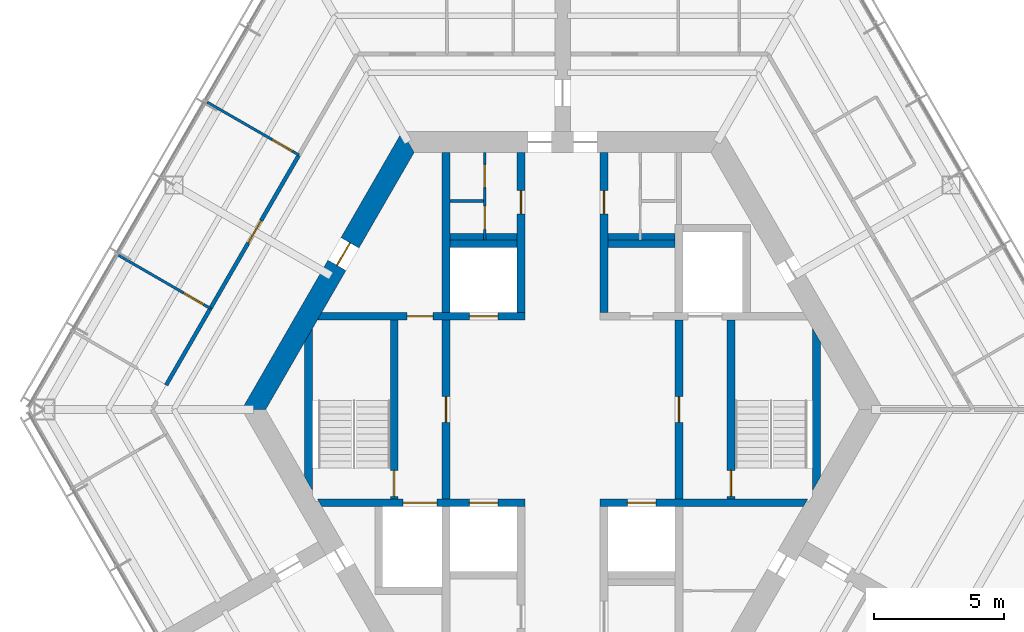
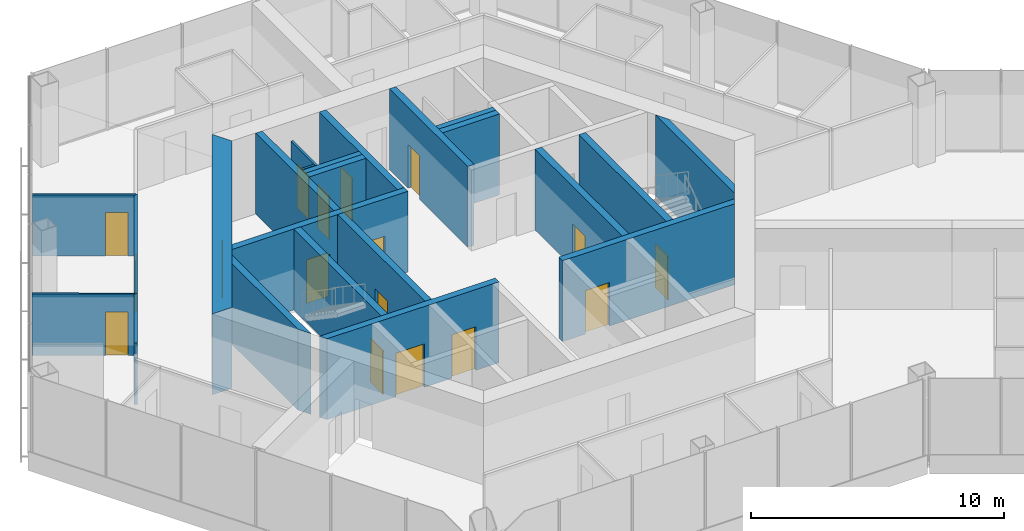
# One storey, part 8 of 13: 23 walls, 17 doors, 17 openings.
"""IFC4 building model written with IfcOpenShell, lengths in metres."""

from ifc_helpers import new_model, si_unit, direction, frame, frame_2d, origin, place, context, subcontext, project, spatial, polyline, rectangle, outline, extrude, material, layer, layer_set, type_object, element, fill, save


model = new_model("IFC4")

# Units and contexts
model_context = context("Model", 3, precision=1e-05, world=origin(), true_north=direction((0.0, 1.0)))
body_context = subcontext(model_context, "Body", "Model", "MODEL_VIEW")
ifc_project = project(units=[si_unit("LENGTHUNIT", "METRE"), si_unit("AREAUNIT", "SQUARE_METRE"), si_unit("VOLUMEUNIT", "CUBIC_METRE"), si_unit("PLANEANGLEUNIT", "RADIAN"), si_unit("MASSUNIT", "GRAM", prefix="KILO")], contexts=[model_context])

# Site, building, storey
site_placement = place(None, origin())
site = spatial("IfcSite", under=ifc_project, at=site_placement, CompositionType="ELEMENT")
building_placement = place(site_placement, origin())
building = spatial("IfcBuilding", under=site, at=building_placement, Name="Kasaneha Research Tower", CompositionType="ELEMENT")
storey_placement = place(building_placement, frame((0.0, 0.0, 275.199951171875)))
storey = spatial("IfcBuildingStorey", under=building, at=storey_placement, Name="L69", CompositionType="ELEMENT", Elevation=275.199951171875)

# Wall, openings, doors
ifc_material_1 = material(Name="Concrete Fc60", Category="concrete")
ifc_layer_1 = layer(ifc_material_1, 0.300048828125)
ifc_layer_set_1 = layer_set([ifc_layer_1], Name="Core internal wall 300 Fc60")
wall_type_1 = type_object("IfcWallType", Name="Core internal wall 300 Fc60", PredefinedType="SHEAR", material=ifc_layer_set_1)
wall_1_placement = place(storey_placement, frame((-9.3818359375, 3.60009765625, 0.0), z_axis=(0.0, 0.0, 1.0), x_axis=(1.0, 0.0, 0.0)))
wall_1 = element("IfcWall", 1, at=wall_1_placement, inside=storey, type_object=wall_type_1, Name="Core wall W1W L69", PredefinedType="SHEAR", context=body_context, shape_type="SweptSolid", body=[
    extrude(outline(polyline([(-0.086669921875, -0.14990234375), (3.3818359375, -0.14990234375), (4.3818359375, -0.14990234375), (5.781982421875, -0.14990234375), (6.882080078125, -0.14990234375), (7.931884765625, -0.14990234375), (7.931884765625, 0.14990234375), (6.882080078125, 0.14990234375), (5.781982421875, 0.14990234375), (4.3818359375, 0.14990234375), (3.3818359375, 0.14990234375), (0.086669921875, 0.14990234375), (-0.086669921875, -0.14990234375)])), origin(), (0.0, 0.0, 1.0), 3.900146484375),
])
opening_1_placement = place(wall_1_placement, frame((3.3818359375, 0.0, 0.0)))
opening_1 = element("IfcOpeningElement", 2, at=opening_1_placement, cuts=wall_1, Name="Opening L69-D12", PredefinedType="OPENING", context=body_context, shape_type="SweptSolid", body=[
    extrude(rectangle(XDim=1.0, YDim=2.10009765625, at=frame_2d((0.5, 1.050048828125))), frame((0.0, 0.16015625, 0.0), z_axis=(0.0, -1.0, 0.0), x_axis=(1.0, 0.0, 0.0)), (0.0, 0.0, 1.0), 0.320068359375),
])
opening_2_placement = place(wall_1_placement, frame((5.781982421875, 0.0, 0.0)))
opening_2 = element("IfcOpeningElement", 3, at=opening_2_placement, cuts=wall_1, Name="Opening LD-LH2-L69", PredefinedType="OPENING", context=body_context, shape_type="SweptSolid", body=[
    extrude(rectangle(XDim=1.10009765625, YDim=2.10009765625, at=frame_2d((0.550048828125, 1.050048828125))), frame((0.0, 0.16015625, 0.0), z_axis=(0.0, -1.0, 0.0), x_axis=(1.0, 0.0, 0.0)), (0.0, 0.0, 1.0), 0.320068359375),
])
ifc_material_2 = material(Name="Steel", Category="steel")
door_type_1 = type_object("IfcDoorType", Name="Lift landing door 1100x2100", OperationType="DOUBLE_DOOR_SLIDING", PredefinedType="DOOR", material=ifc_material_2)
door_1_placement = place(opening_2_placement, origin())
door_1 = element("IfcDoor", 4, at=door_1_placement, inside=storey, type_object=door_type_1, Name="Landing door LH2 LD-LH2-L69", OperationType="DOUBLE_DOOR_SLIDING", OverallHeight=2.10009765625, OverallWidth=1.10009765625, PredefinedType="DOOR", context=body_context, shape_type="SweptSolid", body=[
    extrude(rectangle(XDim=1.10009765625, YDim=2.10009765625, at=frame_2d((0.550048828125, 1.050048828125))), frame((0.0, 0.02490234375, 0.0), z_axis=(0.0, -1.0, 0.0), x_axis=(1.0, 0.0, 0.0)), (0.0, 0.0, 1.0), 0.050048828125),
])
fill(opening_2, door_1)
ifc_material_3 = material(Name="Steel", Category="steel")
door_type_2 = type_object("IfcDoorType", Name="Specified fire door FD60 1000x2100", OperationType="NOTDEFINED", PredefinedType="DOOR", material=ifc_material_3)
door_2_placement = place(opening_1_placement, origin())
door_2 = element("IfcDoor", 5, at=door_2_placement, inside=storey, type_object=door_type_2, Name="Vestibule to lobby door L69-D12", OperationType="SINGLE_SWING_LEFT", OverallHeight=2.10009765625, OverallWidth=1.0, PredefinedType="DOOR", context=body_context, shape_type="SweptSolid", body=[
    extrude(rectangle(XDim=1.0, YDim=2.10009765625, at=frame_2d((0.5, 1.050048828125))), frame((0.0, 0.02490234375, 0.0), z_axis=(0.0, -1.0, 0.0), x_axis=(1.0, 0.0, 0.0)), (0.0, 0.0, 1.0), 0.050048828125),
])
fill(opening_1, door_2)

wall_2_placement = place(storey_placement, frame((-9.3818359375, -3.60009765625, 0.0), z_axis=(0.0, 0.0, 1.0), x_axis=(1.0, 0.0, 0.0)))
wall_2 = element("IfcWall", 6, at=wall_2_placement, inside=storey, type_object=wall_type_1, Name="Core wall W2W L69", PredefinedType="SHEAR", context=body_context, shape_type="SweptSolid", body=[
    extrude(outline(polyline([(0.086669921875, -0.14990234375), (3.23193359375, -0.14990234375), (4.531982421875, -0.14990234375), (5.781982421875, -0.14990234375), (6.882080078125, -0.14990234375), (7.931884765625, -0.14990234375), (7.931884765625, 0.14990234375), (6.882080078125, 0.14990234375), (5.781982421875, 0.14990234375), (4.531982421875, 0.14990234375), (3.23193359375, 0.14990234375), (-0.086669921875, 0.14990234375), (0.086669921875, -0.14990234375)])), origin(), (0.0, 0.0, 1.0), 3.900146484375),
])
opening_3_placement = place(wall_2_placement, frame((5.781982421875, 0.0, 0.0)))
opening_3 = element("IfcOpeningElement", 7, at=opening_3_placement, cuts=wall_2, Name="Opening LD-LH1-L69", PredefinedType="OPENING", context=body_context, shape_type="SweptSolid", body=[
    extrude(rectangle(XDim=1.10009765625, YDim=2.10009765625, at=frame_2d((0.550048828125, 1.050048828125))), frame((0.0, 0.16015625, 0.0), z_axis=(0.0, -1.0, 0.0), x_axis=(1.0, 0.0, 0.0)), (0.0, 0.0, 1.0), 0.320068359375),
])
opening_4_placement = place(wall_2_placement, frame((3.23193359375, 0.0, 0.0)))
opening_4 = element("IfcOpeningElement", 8, at=opening_4_placement, cuts=wall_2, Name="Opening LD-FL2-L69", PredefinedType="OPENING", context=body_context, shape_type="SweptSolid", body=[
    extrude(rectangle(XDim=1.300048828125, YDim=2.10009765625, at=frame_2d((0.64990234375, 1.050048828125))), frame((0.0, 0.16015625, 0.0), z_axis=(0.0, -1.0, 0.0), x_axis=(1.0, 0.0, 0.0)), (0.0, 0.0, 1.0), 0.320068359375),
])
door_3_placement = place(opening_3_placement, origin())
door_3 = element("IfcDoor", 9, at=door_3_placement, inside=storey, type_object=door_type_1, Name="Landing door LH1 LD-LH1-L69", OperationType="DOUBLE_DOOR_SLIDING", OverallHeight=2.10009765625, OverallWidth=1.10009765625, PredefinedType="DOOR", context=body_context, shape_type="SweptSolid", body=[
    extrude(rectangle(XDim=1.10009765625, YDim=2.10009765625, at=frame_2d((0.550048828125, 1.050048828125))), frame((0.0, 0.02490234375, 0.0), z_axis=(0.0, -1.0, 0.0), x_axis=(1.0, 0.0, 0.0)), (0.0, 0.0, 1.0), 0.050048828125),
])
fill(opening_3, door_3)
ifc_material_4 = material(Name="Steel", Category="steel")
door_type_3 = type_object("IfcDoorType", Name="Lift landing door 1300x2100", OperationType="DOUBLE_DOOR_SLIDING", PredefinedType="DOOR", material=ifc_material_4)
door_4_placement = place(opening_4_placement, origin())
door_4 = element("IfcDoor", 10, at=door_4_placement, inside=storey, type_object=door_type_3, Name="Landing door FL2 LD-FL2-L69", OperationType="DOUBLE_DOOR_SLIDING", OverallHeight=2.10009765625, OverallWidth=1.300048828125, PredefinedType="DOOR", context=body_context, shape_type="SweptSolid", body=[
    extrude(rectangle(XDim=1.300048828125, YDim=2.10009765625, at=frame_2d((0.64990234375, 1.050048828125))), frame((0.0, 0.02490234375, 0.0), z_axis=(0.0, -1.0, 0.0), x_axis=(1.0, 0.0, 0.0)), (0.0, 0.0, 1.0), 0.050048828125),
])
fill(opening_4, door_4)

# Wall, opening, door
wall_3_placement = place(storey_placement, frame((1.449951171875, -3.60009765625, 0.0), z_axis=(0.0, 0.0, 1.0), x_axis=(1.0, 0.0, 0.0)))
wall_3 = element("IfcWall", 11, at=wall_3_placement, inside=storey, type_object=wall_type_1, Name="Core wall W2E L69", PredefinedType="SHEAR", context=body_context, shape_type="SweptSolid", body=[
    extrude(outline(polyline([(0.0, -0.14990234375), (1.050048828125, -0.14990234375), (2.150146484375, -0.14990234375), (7.84521484375, -0.14990234375), (8.0185546875, 0.14990234375), (2.150146484375, 0.14990234375), (1.050048828125, 0.14990234375), (0.0, 0.14990234375), (0.0, -0.14990234375)])), origin(), (0.0, 0.0, 1.0), 3.900146484375),
])
opening_5_placement = place(wall_3_placement, frame((1.050048828125, 0.0, 0.0)))
opening_5 = element("IfcOpeningElement", 12, at=opening_5_placement, cuts=wall_3, Name="Opening LD-LH3-L69", PredefinedType="OPENING", context=body_context, shape_type="SweptSolid", body=[
    extrude(rectangle(XDim=1.10009765625, YDim=2.10009765625, at=frame_2d((0.550048828125, 1.050048828125))), frame((0.0, 0.16015625, 0.0), z_axis=(0.0, -1.0, 0.0), x_axis=(1.0, 0.0, 0.0)), (0.0, 0.0, 1.0), 0.320068359375),
])
door_5_placement = place(opening_5_placement, origin())
door_5 = element("IfcDoor", 13, at=door_5_placement, inside=storey, type_object=door_type_1, Name="Landing door LH3 LD-LH3-L69", OperationType="DOUBLE_DOOR_SLIDING", OverallHeight=2.10009765625, OverallWidth=1.10009765625, PredefinedType="DOOR", context=body_context, shape_type="SweptSolid", body=[
    extrude(rectangle(XDim=1.10009765625, YDim=2.10009765625, at=frame_2d((0.550048828125, 1.050048828125))), frame((0.0, 0.02490234375, 0.0), z_axis=(0.0, -1.0, 0.0), x_axis=(1.0, 0.0, 0.0)), (0.0, 0.0, 1.0), 0.050048828125),
])
fill(opening_5, door_5)

wall_4_placement = place(storey_placement, frame((-1.60009765625, 3.75, 0.0), z_axis=(0.0, 0.0, 1.0), x_axis=(0.0, 1.0, 0.0)))
wall_4 = element("IfcWall", 14, at=wall_4_placement, inside=storey, type_object=wall_type_1, Name="Core wall CNW L69", PredefinedType="SHEAR", context=body_context, shape_type="SweptSolid", body=[
    extrude(rectangle(XDim=6.175048828125, YDim=0.300048828125, at=frame_2d((3.08740234375, 0.0))), origin(), (0.0, 0.0, 1.0), 3.900146484375),
])
opening_6_placement = place(wall_4_placement, frame((3.800048828125, 0.0, 0.0)))
opening_6 = element("IfcOpeningElement", 15, at=opening_6_placement, cuts=wall_4, Name="Opening L69-D13", PredefinedType="OPENING", context=body_context, shape_type="SweptSolid", body=[
    extrude(rectangle(XDim=0.89990234375, YDim=2.10009765625, at=frame_2d((0.449951171875, 1.050048828125))), frame((0.0, 0.16015625, 0.0), z_axis=(0.0, -1.0, 0.0), x_axis=(1.0, 0.0, 0.0)), (0.0, 0.0, 1.0), 0.320068359375),
])
ifc_material_5 = material(Name="Steel", Category="steel")
door_type_4 = type_object("IfcDoorType", Name="Toilet door FD20 900x2100", OperationType="NOTDEFINED", PredefinedType="DOOR", material=ifc_material_5)
door_6_placement = place(opening_6_placement, origin())
door_6 = element("IfcDoor", 16, at=door_6_placement, inside=storey, type_object=door_type_4, Name="Men's WC door L69-D13", OperationType="SINGLE_SWING_LEFT", OverallHeight=2.10009765625, OverallWidth=0.89990234375, PredefinedType="DOOR", context=body_context, shape_type="SweptSolid", body=[
    extrude(rectangle(XDim=0.89990234375, YDim=2.10009765625, at=frame_2d((0.449951171875, 1.050048828125))), frame((0.0, 0.02490234375, 0.0), z_axis=(0.0, -1.0, 0.0), x_axis=(1.0, 0.0, 0.0)), (0.0, 0.0, 1.0), 0.050048828125),
])
fill(opening_6, door_6)

wall_5_placement = place(storey_placement, frame((1.60009765625, 3.75, 0.0), z_axis=(0.0, 0.0, 1.0), x_axis=(0.0, 1.0, 0.0)))
wall_5 = element("IfcWall", 17, at=wall_5_placement, inside=storey, type_object=wall_type_1, Name="Core wall CNE L69", PredefinedType="SHEAR", context=body_context, shape_type="SweptSolid", body=[
    extrude(rectangle(XDim=6.175048828125, YDim=0.300048828125, at=frame_2d((3.08740234375, 0.0))), origin(), (0.0, 0.0, 1.0), 3.900146484375),
])
opening_7_placement = place(wall_5_placement, frame((3.800048828125, 0.0, 0.0)))
opening_7 = element("IfcOpeningElement", 18, at=opening_7_placement, cuts=wall_5, Name="Opening L69-D14", PredefinedType="OPENING", context=body_context, shape_type="SweptSolid", body=[
    extrude(rectangle(XDim=0.89990234375, YDim=2.10009765625, at=frame_2d((0.449951171875, 1.050048828125))), frame((0.0, 0.16015625, 0.0), z_axis=(0.0, -1.0, 0.0), x_axis=(1.0, 0.0, 0.0)), (0.0, 0.0, 1.0), 0.320068359375),
])
door_7_placement = place(opening_7_placement, origin())
door_7 = element("IfcDoor", 19, at=door_7_placement, inside=storey, type_object=door_type_4, Name="Women's WC door L69-D14", OperationType="SINGLE_SWING_LEFT", OverallHeight=2.10009765625, OverallWidth=0.89990234375, PredefinedType="DOOR", context=body_context, shape_type="SweptSolid", body=[
    extrude(rectangle(XDim=0.89990234375, YDim=2.10009765625, at=frame_2d((0.449951171875, 1.050048828125))), frame((0.0, 0.02490234375, 0.0), z_axis=(0.0, -1.0, 0.0), x_axis=(1.0, 0.0, 0.0)), (0.0, 0.0, 1.0), 0.050048828125),
])
fill(opening_7, door_7)

wall_6_placement = place(storey_placement, frame((-4.5, -3.449951171875, 0.0), z_axis=(0.0, 0.0, 1.0), x_axis=(0.0, 1.0, 0.0)))
wall_6 = element("IfcWall", 20, at=wall_6_placement, inside=storey, type_object=wall_type_1, Name="Core wall LBW L69", PredefinedType="SHEAR", context=body_context, shape_type="SweptSolid", body=[
    extrude(rectangle(XDim=6.89990234375, YDim=0.300048828125, at=frame_2d((3.449951171875, 0.0))), origin(), (0.0, 0.0, 1.0), 3.900146484375),
])
opening_8_placement = place(wall_6_placement, frame((2.949951171875, 0.0, 0.0)))
opening_8 = element("IfcOpeningElement", 21, at=opening_8_placement, cuts=wall_6, Name="Opening L69-D09", PredefinedType="OPENING", context=body_context, shape_type="SweptSolid", body=[
    extrude(rectangle(XDim=1.0, YDim=2.10009765625, at=frame_2d((0.5, 1.050048828125))), frame((0.0, 0.16015625, 0.0), z_axis=(0.0, -1.0, 0.0), x_axis=(1.0, 0.0, 0.0)), (0.0, 0.0, 1.0), 0.320068359375),
])
door_8_placement = place(opening_8_placement, origin())
door_8 = element("IfcDoor", 22, at=door_8_placement, inside=storey, type_object=door_type_2, Name="Lift lobby door west L69-D09", OperationType="SINGLE_SWING_LEFT", OverallHeight=2.10009765625, OverallWidth=1.0, PredefinedType="DOOR", context=body_context, shape_type="SweptSolid", body=[
    extrude(rectangle(XDim=1.0, YDim=2.10009765625, at=frame_2d((0.5, 1.050048828125))), frame((0.0, 0.02490234375, 0.0), z_axis=(0.0, -1.0, 0.0), x_axis=(1.0, 0.0, 0.0)), (0.0, 0.0, 1.0), 0.050048828125),
])
fill(opening_8, door_8)

wall_7_placement = place(storey_placement, frame((4.5, -3.449951171875, 0.0), z_axis=(0.0, 0.0, 1.0), x_axis=(0.0, 1.0, 0.0)))
wall_7 = element("IfcWall", 23, at=wall_7_placement, inside=storey, type_object=wall_type_1, Name="Core wall LBE L69", PredefinedType="SHEAR", context=body_context, shape_type="SweptSolid", body=[
    extrude(rectangle(XDim=6.89990234375, YDim=0.300048828125, at=frame_2d((3.449951171875, 0.0))), origin(), (0.0, 0.0, 1.0), 3.900146484375),
])
opening_9_placement = place(wall_7_placement, frame((2.949951171875, 0.0, 0.0)))
opening_9 = element("IfcOpeningElement", 24, at=opening_9_placement, cuts=wall_7, Name="Opening L69-D08", PredefinedType="OPENING", context=body_context, shape_type="SweptSolid", body=[
    extrude(rectangle(XDim=1.0, YDim=2.10009765625, at=frame_2d((0.5, 1.050048828125))), frame((0.0, 0.16015625, 0.0), z_axis=(0.0, -1.0, 0.0), x_axis=(1.0, 0.0, 0.0)), (0.0, 0.0, 1.0), 0.320068359375),
])
door_9_placement = place(opening_9_placement, origin())
door_9 = element("IfcDoor", 25, at=door_9_placement, inside=storey, type_object=door_type_2, Name="Lift lobby door east L69-D08", OperationType="SINGLE_SWING_LEFT", OverallHeight=2.10009765625, OverallWidth=1.0, PredefinedType="DOOR", context=body_context, shape_type="SweptSolid", body=[
    extrude(rectangle(XDim=1.0, YDim=2.10009765625, at=frame_2d((0.5, 1.050048828125))), frame((0.0, 0.02490234375, 0.0), z_axis=(0.0, -1.0, 0.0), x_axis=(1.0, 0.0, 0.0)), (0.0, 0.0, 1.0), 0.050048828125),
])
fill(opening_9, door_9)

wall_8_placement = place(storey_placement, frame((-6.5, -3.449951171875, 0.0), z_axis=(0.0, 0.0, 1.0), x_axis=(0.0, 1.0, 0.0)))
wall_8 = element("IfcWall", 26, at=wall_8_placement, inside=storey, type_object=wall_type_1, Name="Core wall ANW L69", PredefinedType="SHEAR", context=body_context, shape_type="SweptSolid", body=[
    extrude(rectangle(XDim=6.89990234375, YDim=0.300048828125, at=frame_2d((3.449951171875, 0.0))), origin(), (0.0, 0.0, 1.0), 3.900146484375),
])
opening_10_placement = place(wall_8_placement, frame((0.10009765625, 0.0, 0.0)))
opening_10 = element("IfcOpeningElement", 27, at=opening_10_placement, cuts=wall_8, Name="Opening L69-D11", PredefinedType="OPENING", context=body_context, shape_type="SweptSolid", body=[
    extrude(rectangle(XDim=1.0, YDim=2.10009765625, at=frame_2d((0.5, 1.050048828125))), frame((0.0, 0.16015625, 0.0), z_axis=(0.0, -1.0, 0.0), x_axis=(1.0, 0.0, 0.0)), (0.0, 0.0, 1.0), 0.320068359375),
])
door_10_placement = place(opening_10_placement, origin())
door_10 = element("IfcDoor", 28, at=door_10_placement, inside=storey, type_object=door_type_2, Name="Stair 2 door L69-D11", OperationType="SINGLE_SWING_LEFT", OverallHeight=2.10009765625, OverallWidth=1.0, PredefinedType="DOOR", context=body_context, shape_type="SweptSolid", body=[
    extrude(rectangle(XDim=1.0, YDim=2.10009765625, at=frame_2d((0.5, 1.050048828125))), frame((0.0, 0.02490234375, 0.0), z_axis=(0.0, -1.0, 0.0), x_axis=(1.0, 0.0, 0.0)), (0.0, 0.0, 1.0), 0.050048828125),
])
fill(opening_10, door_10)

wall_9_placement = place(storey_placement, frame((6.5, -3.449951171875, 0.0), z_axis=(0.0, 0.0, 1.0), x_axis=(0.0, 1.0, 0.0)))
wall_9 = element("IfcWall", 29, at=wall_9_placement, inside=storey, type_object=wall_type_1, Name="Core wall ANE L69", PredefinedType="SHEAR", context=body_context, shape_type="SweptSolid", body=[
    extrude(rectangle(XDim=6.89990234375, YDim=0.300048828125, at=frame_2d((3.449951171875, 0.0))), origin(), (0.0, 0.0, 1.0), 3.900146484375),
])
opening_11_placement = place(wall_9_placement, frame((0.10009765625, 0.0, 0.0)))
opening_11 = element("IfcOpeningElement", 30, at=opening_11_placement, cuts=wall_9, Name="Opening L69-D10", PredefinedType="OPENING", context=body_context, shape_type="SweptSolid", body=[
    extrude(rectangle(XDim=1.0, YDim=2.10009765625, at=frame_2d((0.5, 1.050048828125))), frame((0.0, 0.16015625, 0.0), z_axis=(0.0, -1.0, 0.0), x_axis=(1.0, 0.0, 0.0)), (0.0, 0.0, 1.0), 0.320068359375),
])
door_11_placement = place(opening_11_placement, origin())
door_11 = element("IfcDoor", 31, at=door_11_placement, inside=storey, type_object=door_type_2, Name="Stair 1 door L69-D10", OperationType="SINGLE_SWING_LEFT", OverallHeight=2.10009765625, OverallWidth=1.0, PredefinedType="DOOR", context=body_context, shape_type="SweptSolid", body=[
    extrude(rectangle(XDim=1.0, YDim=2.10009765625, at=frame_2d((0.5, 1.050048828125))), frame((0.0, 0.02490234375, 0.0), z_axis=(0.0, -1.0, 0.0), x_axis=(1.0, 0.0, 0.0)), (0.0, 0.0, 1.0), 0.050048828125),
])
fill(opening_11, door_11)

# Walls
wall_10_placement = place(storey_placement, frame((-4.5, 3.75, 0.0), z_axis=(0.0, 0.0, 1.0), x_axis=(0.0, 1.0, 0.0)))
element("IfcWall", 32, at=wall_10_placement, inside=storey, type_object=wall_type_1, Name="Core wall VNW L69", PredefinedType="SHEAR", context=body_context, shape_type="SweptSolid", body=[
    extrude(rectangle(XDim=6.175048828125, YDim=0.300048828125, at=frame_2d((3.08740234375, 0.0))), origin(), (0.0, 0.0, 1.0), 3.900146484375),
])
for number, where, z_axis, x_axis, name in (
    (33, (-4.35009765625, 6.39990234375, 0.0), (0.0, 0.0, 1.0), (1.0, 0.0, 0.0), "Core wall N1N L69"),
    (34, (1.75, 6.39990234375, 0.0), (0.0, 0.0, 1.0), (1.0, 0.0, 0.0), "Core wall N3N L69"),
):
    element("IfcWall", number, at=place(storey_placement, frame(where, z_axis=z_axis, x_axis=x_axis)), inside=storey, type_object=wall_type_1, Name=name, PredefinedType="SHEAR", context=body_context, shape_type="SweptSolid", body=[
        extrude(rectangle(XDim=2.60009765625, YDim=0.300048828125, at=frame_2d((1.300048828125, 0.0))), origin(), (0.0, 0.0, 1.0), 3.900146484375),
    ])
wall_11_placement = place(storey_placement, frame((9.807861328125, -2.8623046875, 0.0), z_axis=(0.0, 0.0, 1.0), x_axis=(0.0, 1.0, 0.0)))
element("IfcWall", 35, at=wall_11_placement, inside=storey, type_object=wall_type_1, Name="Core wall STE L69", PredefinedType="SHEAR", context=body_context, shape_type="SweptSolid", body=[
    extrude(outline(polyline([(0.259765625, -0.14990234375), (5.46484375, -0.14990234375), (5.984375, 0.14990234375), (-0.259765625, 0.14990234375), (0.259765625, -0.14990234375)])), origin(), (0.0, 0.0, 1.0), 3.900146484375),
])
wall_12_placement = place(storey_placement, frame((-9.807861328125, -2.8623046875, 0.0), z_axis=(0.0, 0.0, 1.0), x_axis=(0.0, 1.0, 0.0)))
element("IfcWall", 36, at=wall_12_placement, inside=storey, type_object=wall_type_1, Name="Core wall STW L69", PredefinedType="SHEAR", context=body_context, shape_type="SweptSolid", body=[
    extrude(outline(polyline([(-0.259765625, -0.14990234375), (5.984375, -0.14990234375), (5.46484375, 0.14990234375), (0.259765625, 0.14990234375), (-0.259765625, -0.14990234375)])), origin(), (0.0, 0.0, 1.0), 3.900146484375),
])

# Wall, opening, door
ifc_material_6 = material(Name="Concrete Fc60", Category="concrete")
ifc_layer_2 = layer(ifc_material_6, 0.800048828125)
ifc_layer_set_2 = layer_set([ifc_layer_2], Name="Core wall 800 Fc60")
wall_type_2 = type_object("IfcWallType", Name="Core wall 800 Fc60", PredefinedType="SHEAR", material=ifc_layer_set_2)
wall_13_placement = place(storey_placement, frame((-5.961181640625, 10.324951171875, 0.0), z_axis=(0.0, 0.0, 1.0), x_axis=(-0.500004296715, -0.866022923061, 0.0)))
wall_13 = element("IfcWall", 37, at=wall_13_placement, inside=storey, type_object=wall_type_2, Name="Core wall 150 L69", PredefinedType="SHEAR", context=body_context, shape_type="SweptSolid", body=[
    extrude(outline(polyline([(-0.23095703125, -0.39990234375), (4.494140625, -0.39990234375), (5.494140625, -0.39990234375), (12.1533203125, -0.39990234375), (11.69140625, 0.39990234375), (5.494140625, 0.39990234375), (4.494140625, 0.39990234375), (0.23095703125, 0.39990234375), (-0.23095703125, -0.39990234375)])), origin(), (0.0, 0.0, 1.0), 3.900146484375),
])
opening_12_placement = place(wall_13_placement, frame((4.494140625, 0.0, 0.0)))
opening_12 = element("IfcOpeningElement", 38, at=opening_12_placement, cuts=wall_13, Name="Opening L69-D07", PredefinedType="OPENING", context=body_context, shape_type="SweptSolid", body=[
    extrude(rectangle(XDim=1.0, YDim=2.10009765625, at=frame_2d((0.5, 1.050048828125))), frame((0.0, 0.41015625, 0.0), z_axis=(0.0, -1.0, 0.0), x_axis=(1.0, 0.0, 0.0)), (0.0, 0.0, 1.0), 0.820068359375),
])
ifc_material_7 = material(Name="Steel", Category="steel")
door_type_5 = type_object("IfcDoorType", Name="Fire door FD20 1000x2100", OperationType="NOTDEFINED", PredefinedType="DOOR", material=ifc_material_7)
door_12_placement = place(opening_12_placement, origin())
door_12 = element("IfcDoor", 39, at=door_12_placement, inside=storey, type_object=door_type_5, Name="Vestibule door L69-D07", OperationType="SINGLE_SWING_LEFT", OverallHeight=2.10009765625, OverallWidth=1.0, PredefinedType="DOOR", context=body_context, shape_type="SweptSolid", body=[
    extrude(rectangle(XDim=1.0, YDim=2.10009765625, at=frame_2d((0.5, 1.050048828125))), frame((0.0, 0.02490234375, 0.0), z_axis=(0.0, -1.0, 0.0), x_axis=(1.0, 0.0, 0.0)), (0.0, 0.0, 1.0), 0.050048828125),
])
fill(opening_12, door_12)

# Wall, openings, doors
ifc_material_8 = material(Name="Gypsum board on steel studs, one layer each side", Category="steel")
ifc_layer_3 = layer(ifc_material_8, 0.10009765625)
ifc_layer_set_3 = layer_set([ifc_layer_3], Name="Office partition 100")
wall_type_3 = type_object("IfcWallType", Name="Office partition 100", PredefinedType="PARTITIONING", material=ifc_layer_set_3)
wall_14_placement = place(storey_placement, frame((-3.0, 6.550048828125, 0.0), z_axis=(0.0, 0.0, 1.0), x_axis=(0.0, 1.0, 0.0)))
wall_14 = element("IfcWall", 40, at=wall_14_placement, inside=storey, type_object=wall_type_3, Name="Office partition TBM1 L69", PredefinedType="PARTITIONING", context=body_context, shape_type="SweptSolid", body=[
    extrude(rectangle(XDim=3.375, YDim=0.10009765625, at=frame_2d((1.6875, 0.0))), origin(), (0.0, 0.0, 1.0), 2.949951171875),
])
opening_13_placement = place(wall_14_placement, frame((2.012451171875, 0.0, 0.0)))
opening_13 = element("IfcOpeningElement", 41, at=opening_13_placement, cuts=wall_14, Name="Opening L69-D21", PredefinedType="OPENING", context=body_context, shape_type="SweptSolid", body=[
    extrude(rectangle(XDim=0.89990234375, YDim=2.10009765625, at=frame_2d((0.449951171875, 1.050048828125))), frame((0.0, 0.06005859375, 0.0), z_axis=(0.0, -1.0, 0.0), x_axis=(1.0, 0.0, 0.0)), (0.0, 0.0, 1.0), 0.1201171875),
])
opening_14_placement = place(wall_14_placement, frame((0.39990234375, 0.0, 0.0)))
opening_14 = element("IfcOpeningElement", 42, at=opening_14_placement, cuts=wall_14, Name="Opening L69-D22", PredefinedType="OPENING", context=body_context, shape_type="SweptSolid", body=[
    extrude(rectangle(XDim=0.89990234375, YDim=2.10009765625, at=frame_2d((0.449951171875, 1.050048828125))), frame((0.0, 0.06005859375, 0.0), z_axis=(0.0, -1.0, 0.0), x_axis=(1.0, 0.0, 0.0)), (0.0, 0.0, 1.0), 0.1201171875),
])
ifc_material_9 = material(Name="Steel", Category="steel")
door_type_6 = type_object("IfcDoorType", Name="Toilet lobby door FD30 900x2100", OperationType="NOTDEFINED", PredefinedType="DOOR", material=ifc_material_9)
door_13_placement = place(opening_13_placement, origin())
door_13 = element("IfcDoor", 43, at=door_13_placement, inside=storey, type_object=door_type_6, Name="Men's WC door L69-D21", OperationType="SINGLE_SWING_RIGHT", OverallHeight=2.10009765625, OverallWidth=0.89990234375, PredefinedType="DOOR", context=body_context, shape_type="SweptSolid", body=[
    extrude(rectangle(XDim=0.89990234375, YDim=2.10009765625, at=frame_2d((0.449951171875, 1.050048828125))), frame((0.0, 0.02490234375, 0.0), z_axis=(0.0, -1.0, 0.0), x_axis=(1.0, 0.0, 0.0)), (0.0, 0.0, 1.0), 0.050048828125),
])
fill(opening_13, door_13)
door_14_placement = place(opening_14_placement, origin())
door_14 = element("IfcDoor", 44, at=door_14_placement, inside=storey, type_object=door_type_6, Name="Cleaner's store door L69-D22", OperationType="SINGLE_SWING_RIGHT", OverallHeight=2.10009765625, OverallWidth=0.89990234375, PredefinedType="DOOR", context=body_context, shape_type="SweptSolid", body=[
    extrude(rectangle(XDim=0.89990234375, YDim=2.10009765625, at=frame_2d((0.449951171875, 1.050048828125))), frame((0.0, 0.02490234375, 0.0), z_axis=(0.0, -1.0, 0.0), x_axis=(1.0, 0.0, 0.0)), (0.0, 0.0, 1.0), 0.050048828125),
])
fill(opening_14, door_14)

# Wall
wall_15_placement = place(storey_placement, frame((-3.050048828125, 8.050048828125, 0.0), z_axis=(0.0, 0.0, 1.0), x_axis=(-1.0, 0.0, 0.0)))
element("IfcWall", 45, at=wall_15_placement, inside=storey, type_object=wall_type_3, Name="Office partition TBM2 L69", PredefinedType="PARTITIONING", context=body_context, shape_type="SweptSolid", body=[
    extrude(rectangle(XDim=1.300048828125, YDim=0.10009765625, at=frame_2d((0.64990234375, 0.0))), origin(), (0.0, 0.0, 1.0), 2.949951171875),
])

# Wall, opening, door
wall_16_placement = place(storey_placement, frame((-17.15380859375, 5.9599609375, 0.0), z_axis=(0.0, 0.0, 1.0), x_axis=(0.8654628796, -0.500973057194, 0.0)))
wall_16 = element("IfcWall", 46, at=wall_16_placement, inside=storey, type_object=wall_type_3, Name="Office partition FBN08 L69", PredefinedType="PARTITIONING", context=body_context, shape_type="SweptSolid", body=[
    extrude(rectangle(XDim=4.110595703125, YDim=0.10009765625, at=frame_2d((2.05517578125, 0.0))), origin(), (0.0, 0.0, 1.0), 2.949951171875),
])
opening_15_placement = place(wall_16_placement, frame((2.910400390625, 0.0, 0.0)))
opening_15 = element("IfcOpeningElement", 47, at=opening_15_placement, cuts=wall_16, Name="Opening L69-D36", PredefinedType="OPENING", context=body_context, shape_type="SweptSolid", body=[
    extrude(rectangle(XDim=0.89990234375, YDim=2.10009765625, at=frame_2d((0.449951171875, 1.050048828125))), frame((0.0, 0.06005859375, 0.0), z_axis=(0.0, -1.0, 0.0), x_axis=(1.0, 0.0, 0.0)), (0.0, 0.0, 1.0), 0.1201171875),
])
ifc_material_10 = material(Name="Timber veneer", Category="wood")
door_type_7 = type_object("IfcDoorType", Name="Office door 900x2100", OperationType="SINGLE_SWING_LEFT", PredefinedType="DOOR", material=ifc_material_10)
door_15_placement = place(opening_15_placement, origin())
door_15 = element("IfcDoor", 48, at=door_15_placement, inside=storey, type_object=door_type_7, Name="Manager's office door L69-D36", OperationType="SINGLE_SWING_RIGHT", OverallHeight=2.10009765625, OverallWidth=0.89990234375, PredefinedType="DOOR", context=body_context, shape_type="SweptSolid", body=[
    extrude(rectangle(XDim=0.89990234375, YDim=2.10009765625, at=frame_2d((0.449951171875, 1.050048828125))), frame((0.0, 0.02490234375, 0.0), z_axis=(0.0, -1.0, 0.0), x_axis=(1.0, 0.0, 0.0)), (0.0, 0.0, 1.0), 0.050048828125),
])
fill(opening_15, door_15)

wall_17_placement = place(storey_placement, frame((-10.17626953125, 9.82421875, 0.0), z_axis=(0.0, 0.0, 1.0), x_axis=(-0.866587219047, 0.499025642412, 0.0)))
wall_17 = element("IfcWall", 49, at=wall_17_placement, inside=storey, type_object=wall_type_3, Name="Office partition FBN09 L69", PredefinedType="PARTITIONING", context=body_context, shape_type="SweptSolid", body=[
    extrude(rectangle(XDim=4.085693359375, YDim=0.10009765625, at=frame_2d((2.04296875, 0.0))), origin(), (0.0, 0.0, 1.0), 2.949951171875),
])
opening_16_placement = place(wall_17_placement, frame((0.300048828125, 0.0, 0.0)))
opening_16 = element("IfcOpeningElement", 50, at=opening_16_placement, cuts=wall_17, Name="Opening L69-D37", PredefinedType="OPENING", context=body_context, shape_type="SweptSolid", body=[
    extrude(rectangle(XDim=0.89990234375, YDim=2.10009765625, at=frame_2d((0.449951171875, 1.050048828125))), frame((0.0, 0.06005859375, 0.0), z_axis=(0.0, -1.0, 0.0), x_axis=(1.0, 0.0, 0.0)), (0.0, 0.0, 1.0), 0.1201171875),
])
door_16_placement = place(opening_16_placement, origin())
door_16 = element("IfcDoor", 51, at=door_16_placement, inside=storey, type_object=door_type_7, Name="Project room door L69-D37", OperationType="SINGLE_SWING_LEFT", OverallHeight=2.10009765625, OverallWidth=0.89990234375, PredefinedType="DOOR", context=body_context, shape_type="SweptSolid", body=[
    extrude(rectangle(XDim=0.89990234375, YDim=2.10009765625, at=frame_2d((0.449951171875, 1.050048828125))), frame((0.0, 0.02490234375, 0.0), z_axis=(0.0, -1.0, 0.0), x_axis=(1.0, 0.0, 0.0)), (0.0, 0.0, 1.0), 0.050048828125),
])
fill(opening_16, door_16)

# Wall
ifc_material_11 = material(Name="Gypsum board on steel studs, two layers each side", Category="steel")
ifc_layer_4 = layer(ifc_material_11, 0.14990234375)
ifc_layer_set_4 = layer_set([ifc_layer_4], Name="Suite partition 150")
wall_type_4 = type_object("IfcWallType", Name="Suite partition 150", PredefinedType="PARTITIONING", material=ifc_layer_set_4)
wall_18_placement = place(storey_placement, frame((-15.30419921875, 0.9423828125, 0.0), z_axis=(0.0, 0.0, 1.0), x_axis=(0.500032973541, 0.866006365664, 0.0)))
element("IfcWall", 52, at=wall_18_placement, inside=storey, type_object=wall_type_4, Name="Suite partition FBN01 L69", PredefinedType="PARTITIONING", context=body_context, shape_type="SweptSolid", body=[
    extrude(rectangle(XDim=3.425537109375, YDim=0.14990234375, at=frame_2d((1.712890625, 0.0))), origin(), (0.0, 0.0, 1.0), 2.949951171875),
])

# Wall, opening, door
wall_19_placement = place(storey_placement, frame((-13.59619140625, 3.900634765625, 0.0), z_axis=(0.0, 0.0, 1.0), x_axis=(0.499993318678, 0.866029261213, 0.0)))
wall_19 = element("IfcWall", 53, at=wall_19_placement, inside=storey, type_object=wall_type_4, Name="Suite partition FBN05 L69", PredefinedType="PARTITIONING", context=body_context, shape_type="SweptSolid", body=[
    extrude(rectangle(XDim=6.83984375, YDim=0.14990234375, at=frame_2d((3.419921875, 0.0))), origin(), (0.0, 0.0, 1.0), 2.949951171875),
])
opening_17_placement = place(wall_19_placement, frame((2.919921875, 0.0, 0.0)))
opening_17 = element("IfcOpeningElement", 54, at=opening_17_placement, cuts=wall_19, Name="Opening L69-D34", PredefinedType="OPENING", context=body_context, shape_type="SweptSolid", body=[
    extrude(rectangle(XDim=1.0, YDim=2.10009765625, at=frame_2d((0.5, 1.050048828125))), frame((0.0, 0.0849609375, 0.0), z_axis=(0.0, -1.0, 0.0), x_axis=(1.0, 0.0, 0.0)), (0.0, 0.0, 1.0), 0.169921875),
])
ifc_material_12 = material(Name="Steel", Category="steel")
door_type_8 = type_object("IfcDoorType", Name="Suite entrance door FD60 1000x2100", OperationType="NOTDEFINED", PredefinedType="DOOR", material=ifc_material_12)
door_17_placement = place(opening_17_placement, origin())
door_17 = element("IfcDoor", 55, at=door_17_placement, inside=storey, type_object=door_type_8, Name="Suite entrance door L69-D34", OperationType="SINGLE_SWING_RIGHT", OverallHeight=2.10009765625, OverallWidth=1.0, PredefinedType="DOOR", context=body_context, shape_type="SweptSolid", body=[
    extrude(rectangle(XDim=1.0, YDim=2.10009765625, at=frame_2d((0.5, 1.050048828125))), frame((0.0, 0.02490234375, 0.0), z_axis=(0.0, -1.0, 0.0), x_axis=(1.0, 0.0, 0.0)), (0.0, 0.0, 1.0), 0.050048828125),
])
fill(opening_17, door_17)

# Walls
ifc_material_13 = material(Name="Concrete block lining", Category="concrete")
ifc_layer_5 = layer(ifc_material_13, 0.25)
ifc_layer_set_5 = layer_set([ifc_layer_5], Name="WC plumbing wall 250")
wall_type_5 = type_object("IfcWallType", Name="WC plumbing wall 250", PredefinedType="PLUMBINGWALL", material=ifc_layer_set_5)
for number, where, z_axis, x_axis, name in (
    (56, (-4.35009765625, 6.675048828125, 0.0), (0.0, 0.0, 1.0), (1.0, 0.0, 0.0), "WC plumbing wall M L69"),
    (57, (1.75, 6.675048828125, 0.0), (0.0, 0.0, 1.0), (1.0, 0.0, 0.0), "WC plumbing wall F L69"),
):
    element("IfcWall", number, at=place(storey_placement, frame(where, z_axis=z_axis, x_axis=x_axis)), inside=storey, type_object=wall_type_5, Name=name, PredefinedType="PLUMBINGWALL", context=body_context, shape_type="SweptSolid", body=[
        extrude(rectangle(XDim=2.60009765625, YDim=0.25, at=frame_2d((1.300048828125, 0.0))), origin(), (0.0, 0.0, 1.0), 3.900146484375),
    ])

save(model, "model.ifc")
